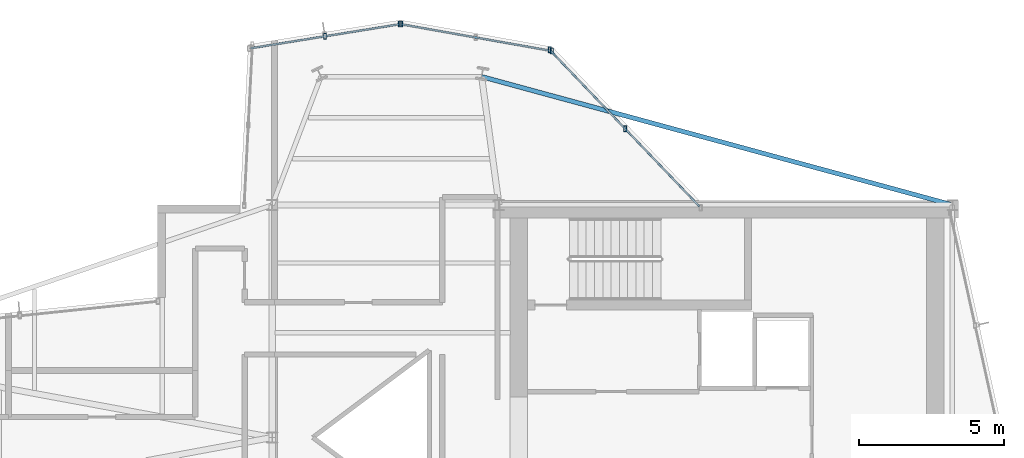
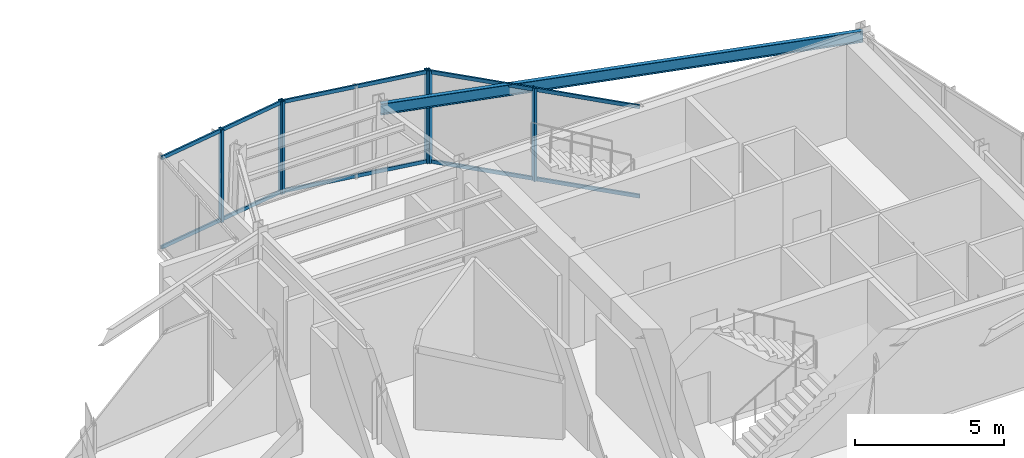
# One storey, part 6 of 14: 12 members, 1 beam, 3 elements without a shape of their own.
"""IFC4 building model written with IfcOpenShell, lengths in metres."""

from ifc_helpers import new_model, si_unit, direction, frame, origin, origin_2d, place, context, subcontext, project, spatial, hollow_rectangle, i_section, extrude, material, layer, layer_set, material_profile, profile_set, type_object, element, aggregate, save


model = new_model("IFC4")

# Units and contexts
model_context = context("Model", 3, precision=1e-05, world=origin(), true_north=direction((0.0, 1.0)))
body_context = subcontext(model_context, "Body", "Model", "MODEL_VIEW")
ifc_project = project(units=[si_unit("LENGTHUNIT", "METRE"), si_unit("AREAUNIT", "SQUARE_METRE"), si_unit("VOLUMEUNIT", "CUBIC_METRE"), si_unit("PLANEANGLEUNIT", "RADIAN"), si_unit("MASSUNIT", "GRAM", prefix="KILO")], contexts=[model_context])

# Site, building, storey
site_placement = place(None, origin())
site = spatial("IfcSite", under=ifc_project, at=site_placement, CompositionType="ELEMENT")
building_placement = place(site_placement, origin())
building = spatial("IfcBuilding", under=site, at=building_placement, Name="Veymaron Broadcast Tower", CompositionType="ELEMENT")
storey_placement = place(building_placement, frame((0.0, 0.0, 299.25)))
storey = spatial("IfcBuildingStorey", under=building, at=storey_placement, Name="L70", CompositionType="ELEMENT", Elevation=299.25)

# Beam
ifc_material_1 = material(Name="Structural steel ASTM A992 Gr 50", Category="steel")
ifc_material_profile_1 = material_profile(ifc_material_1, i_section(OverallWidth=0.154052734375, OverallDepth=0.458984375, WebThickness=0.009033203125, FlangeThickness=0.015380859375, at=origin_2d()), Name="W460X68")
ifc_profile_set_1 = profile_set([ifc_material_profile_1], Name="Structural steel ASTM A992 Gr 50")
beam_type = type_object("IfcBeamType", Name="BM-SP2", PredefinedType="SPANDREL", material=ifc_profile_set_1)
beam_placement = place(storey_placement, frame((54.60009765625, 32.0, 3.58056640625), z_axis=(-0.964847335687, 0.262810994477, 0.0), x_axis=(-0.262810994477, -0.964847335687, 0.0)))
element("IfcBeam", 1, at=beam_placement, inside=storey, type_object=beam_type, Name="L70 primary structural floor girder", PredefinedType="SPANDREL", context=body_context, shape_type="SweptSolid", body=[
    extrude(i_section(OverallWidth=0.154052734375, OverallDepth=0.458984375, WebThickness=0.009033203125, FlangeThickness=0.015380859375, at=origin_2d()), origin(), (0.0, 0.0, 1.0), 16.7880859375),
])

# Curtain wall, members
ifc_material_2 = material(Name="Anodised aluminium AA 6063-T6 and laminated low-E dark glass", Category="aluminium")
ifc_layer = layer(ifc_material_2, 0.179931640625)
ifc_layer_set = layer_set([ifc_layer], Name="Anodised aluminium AA 6063-T6 and laminated low-E dark glass")
curtain_wall_type = type_object("IfcCurtainWallType", Name="CW-SYS-06", PredefinedType="NOTDEFINED", material=ifc_layer_set)
curtain_wall_1_placement = place(storey_placement, origin())
curtain_wall_1 = element("IfcCurtainWall", 2, at=curtain_wall_1_placement, inside=storey, type_object=curtain_wall_type, Name="L70 dark-glass curtain wall CW-L70-E5-1", PredefinedType="NOTDEFINED")
ifc_material_3 = material(Name="Anodised aluminium AA 6063-T6", Category="aluminium")
ifc_material_profile_2 = material_profile(ifc_material_3, hollow_rectangle(XDim=0.10009765625, YDim=0.199951171875, WallThickness=0.010009765625, at=origin_2d()), Name="RHS200X100X10")
ifc_profile_set_2 = profile_set([ifc_material_profile_2], Name="Anodised aluminium AA 6063-T6")
member_type_1 = type_object("IfcMemberType", Name="CW-MUL-01", PredefinedType="MULLION", material=ifc_profile_set_2)
member_1_placement = place(storey_placement, frame((43.33837890625, 34.61962890625, 0.0), z_axis=(0.0, 0.0, 1.0), x_axis=(1.0, 0.0, 0.0)))
member_1 = element("IfcMember", 3, at=member_1_placement, type_object=member_type_1, Name="CW-L70-E5-1 mullion 1", PredefinedType="MULLION", context=body_context, shape_type="SweptSolid", body=[
    extrude(hollow_rectangle(XDim=0.10009765625, YDim=0.199951171875, WallThickness=0.010009765625, at=origin_2d()), origin(), (0.0, 0.0, 1.0), 3.81005859375),
])
member_2_placement = place(storey_placement, frame((40.74267578125, 37.336181640625, 0.0), z_axis=(0.0, 0.0, 1.0), x_axis=(1.0, 0.0, 0.0)))
member_2 = element("IfcMember", 4, at=member_2_placement, type_object=member_type_1, Name="CW-L70-E5-1 mullion 2", PredefinedType="MULLION", context=body_context, shape_type="SweptSolid", body=[
    extrude(hollow_rectangle(XDim=0.10009765625, YDim=0.199951171875, WallThickness=0.010009765625, at=origin_2d()), origin(), (0.0, 0.0, 1.0), 3.81005859375),
])

curtain_wall_2_placement = place(storey_placement, origin())
curtain_wall_2 = element("IfcCurtainWall", 5, at=curtain_wall_2_placement, inside=storey, type_object=curtain_wall_type, Name="L70 dark-glass curtain wall CW-L70-E6-1", PredefinedType="NOTDEFINED")
member_3_placement = place(storey_placement, frame((40.819580078125, 37.294921875, 0.0), z_axis=(0.0, 0.0, 1.0), x_axis=(1.0, 0.0, 0.0)))
member_3 = element("IfcMember", 6, at=member_3_placement, type_object=member_type_1, Name="CW-L70-E6-1 mullion 0", PredefinedType="MULLION", context=body_context, shape_type="SweptSolid", body=[
    extrude(hollow_rectangle(XDim=0.10009765625, YDim=0.199951171875, WallThickness=0.010009765625, at=origin_2d()), origin(), (0.0, 0.0, 1.0), 3.81005859375),
])
member_4_placement = place(storey_placement, frame((35.584716796875, 38.223388671875, 0.0), z_axis=(0.0, 0.0, 1.0), x_axis=(1.0, 0.0, 0.0)))
member_4 = element("IfcMember", 7, at=member_4_placement, type_object=member_type_1, Name="CW-L70-E6-1 mullion 2", PredefinedType="MULLION", context=body_context, shape_type="SweptSolid", body=[
    extrude(hollow_rectangle(XDim=0.10009765625, YDim=0.199951171875, WallThickness=0.010009765625, at=origin_2d()), origin(), (0.0, 0.0, 1.0), 3.81005859375),
])

curtain_wall_3_placement = place(storey_placement, origin())
curtain_wall_3 = element("IfcCurtainWall", 8, at=curtain_wall_3_placement, inside=storey, type_object=curtain_wall_type, Name="L70 dark-glass curtain wall CW-L70-E7-1", PredefinedType="NOTDEFINED")
member_5_placement = place(storey_placement, frame((35.631591796875, 38.222900390625, 0.0), z_axis=(0.0, 0.0, 1.0), x_axis=(1.0, 0.0, 0.0)))
member_5 = element("IfcMember", 9, at=member_5_placement, type_object=member_type_1, Name="CW-L70-E7-1 mullion 0", PredefinedType="MULLION", context=body_context, shape_type="SweptSolid", body=[
    extrude(hollow_rectangle(XDim=0.10009765625, YDim=0.199951171875, WallThickness=0.010009765625, at=origin_2d()), origin(), (0.0, 0.0, 1.0), 3.81005859375),
])
member_6_placement = place(storey_placement, frame((33.01416015625, 37.801025390625, 0.0), z_axis=(0.0, 0.0, 1.0), x_axis=(1.0, 0.0, 0.0)))
member_6 = element("IfcMember", 10, at=member_6_placement, type_object=member_type_1, Name="CW-L70-E7-1 mullion 1", PredefinedType="MULLION", context=body_context, shape_type="SweptSolid", body=[
    extrude(hollow_rectangle(XDim=0.10009765625, YDim=0.199951171875, WallThickness=0.010009765625, at=origin_2d()), origin(), (0.0, 0.0, 1.0), 3.81005859375),
])

# Member
ifc_material_profile_3 = material_profile(ifc_material_3, hollow_rectangle(XDim=0.06494140625, YDim=0.14990234375, WallThickness=0.00390625, at=origin_2d()), Name="AL150X65X4")
ifc_profile_set_3 = profile_set([ifc_material_profile_3], Name="Anodised aluminium AA 6063-T6")
member_type_2 = type_object("IfcMemberType", Name="CW-TRN-01", PredefinedType="USERDEFINED", material=ifc_profile_set_3)
member_7_placement = place(storey_placement, frame((45.89990234375, 31.939453125, 0.070068359375), z_axis=(-0.690889898106, 0.722959991075, 0.0), x_axis=(-0.722959991075, -0.690889898106, 0.0)))
member_7 = element("IfcMember", 11, at=member_7_placement, type_object=member_type_2, Name="CW-L70-E5-1 transom B", ObjectType="TRANSOM", PredefinedType="USERDEFINED", context=body_context, shape_type="SweptSolid", body=[
    extrude(hollow_rectangle(XDim=0.06494140625, YDim=0.14990234375, WallThickness=0.00390625, at=origin_2d()), origin(), (0.0, 0.0, 1.0), 7.414794921875),
])

member_8_placement = place(storey_placement, frame((45.89990234375, 31.939453125, 3.739990234375), z_axis=(-0.690889898106, 0.722959991075, 0.0), x_axis=(-0.722959991075, -0.690889898106, 0.0)))
member_8 = element("IfcMember", 12, at=member_8_placement, type_object=member_type_2, Name="CW-L70-E5-1 transom T", ObjectType="TRANSOM", PredefinedType="USERDEFINED", context=body_context, shape_type="SweptSolid", body=[
    extrude(hollow_rectangle(XDim=0.06494140625, YDim=0.14990234375, WallThickness=0.00390625, at=origin_2d()), origin(), (0.0, 0.0, 1.0), 7.414794921875),
])

aggregate(curtain_wall_1, [member_1, member_2, member_7, member_8])

member_9_placement = place(storey_placement, frame((40.770263671875, 37.3037109375, 0.070068359375), z_axis=(-0.984635728528, 0.174620966971, 0.0), x_axis=(-0.174620966971, -0.984635728528, 0.0)))
member_9 = element("IfcMember", 13, at=member_9_placement, type_object=member_type_2, Name="CW-L70-E6-1 transom B", ObjectType="TRANSOM", PredefinedType="USERDEFINED", context=body_context, shape_type="SweptSolid", body=[
    extrude(hollow_rectangle(XDim=0.06494140625, YDim=0.14990234375, WallThickness=0.00390625, at=origin_2d()), origin(), (0.0, 0.0, 1.0), 5.21630859375),
])

member_10_placement = place(storey_placement, frame((40.770263671875, 37.3037109375, 3.739990234375), z_axis=(-0.984635728528, 0.174620966971, 0.0), x_axis=(-0.174620966971, -0.984635728528, 0.0)))
member_10 = element("IfcMember", 14, at=member_10_placement, type_object=member_type_2, Name="CW-L70-E6-1 transom T", ObjectType="TRANSOM", PredefinedType="USERDEFINED", context=body_context, shape_type="SweptSolid", body=[
    extrude(hollow_rectangle(XDim=0.06494140625, YDim=0.14990234375, WallThickness=0.00390625, at=origin_2d()), origin(), (0.0, 0.0, 1.0), 5.21630859375),
])

aggregate(curtain_wall_2, [member_3, member_4, member_9, member_10])

member_11_placement = place(storey_placement, frame((35.58203125, 38.215087890625, 0.070068359375), z_axis=(-0.987247783528, -0.15919112387, 0.0), x_axis=(0.15919112387, -0.987247783528, 0.0)))
member_11 = element("IfcMember", 15, at=member_11_placement, type_object=member_type_2, Name="CW-L70-E7-1 transom B", ObjectType="TRANSOM", PredefinedType="USERDEFINED", context=body_context, shape_type="SweptSolid", body=[
    extrude(hollow_rectangle(XDim=0.06494140625, YDim=0.14990234375, WallThickness=0.00390625, at=origin_2d()), origin(), (0.0, 0.0, 1.0), 5.2021484375),
])

member_12_placement = place(storey_placement, frame((35.58203125, 38.215087890625, 3.739990234375), z_axis=(-0.987247783528, -0.15919112387, 0.0), x_axis=(0.15919112387, -0.987247783528, 0.0)))
member_12 = element("IfcMember", 16, at=member_12_placement, type_object=member_type_2, Name="CW-L70-E7-1 transom T", ObjectType="TRANSOM", PredefinedType="USERDEFINED", context=body_context, shape_type="SweptSolid", body=[
    extrude(hollow_rectangle(XDim=0.06494140625, YDim=0.14990234375, WallThickness=0.00390625, at=origin_2d()), origin(), (0.0, 0.0, 1.0), 5.2021484375),
])

aggregate(curtain_wall_3, [member_5, member_6, member_11, member_12])

save(model, "model.ifc")
